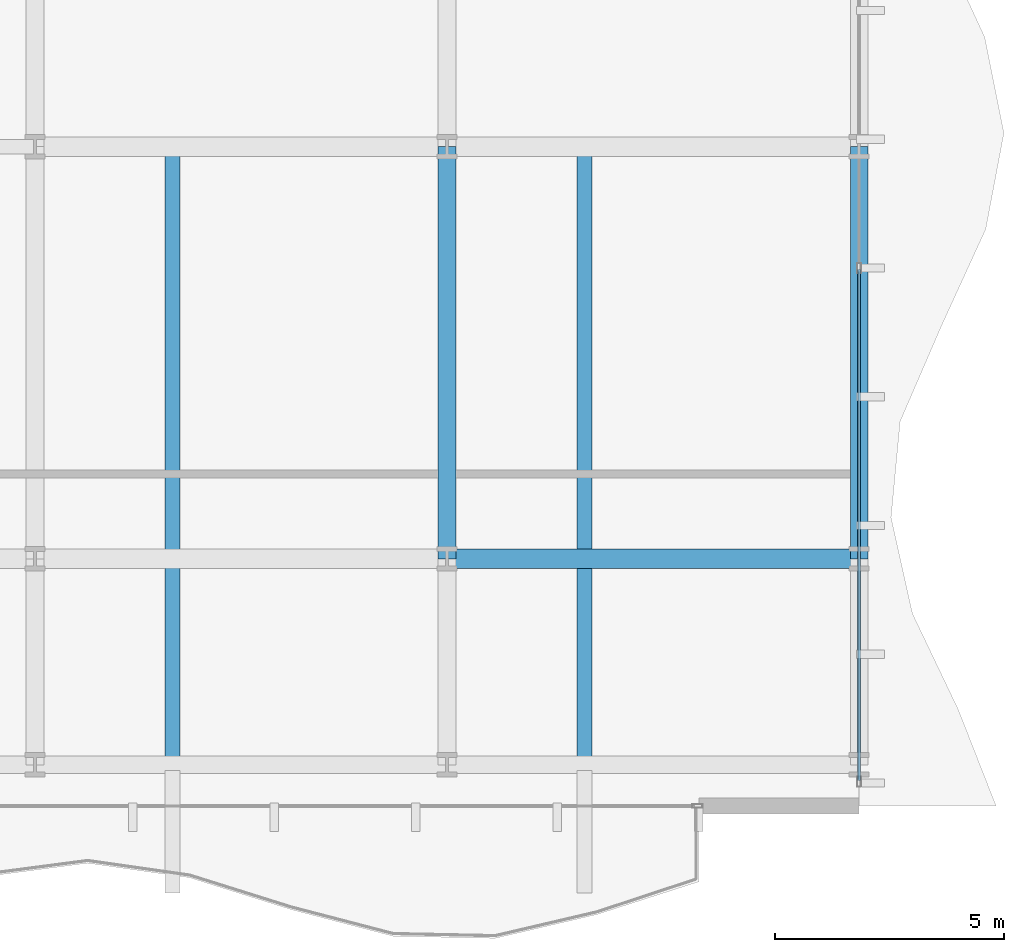
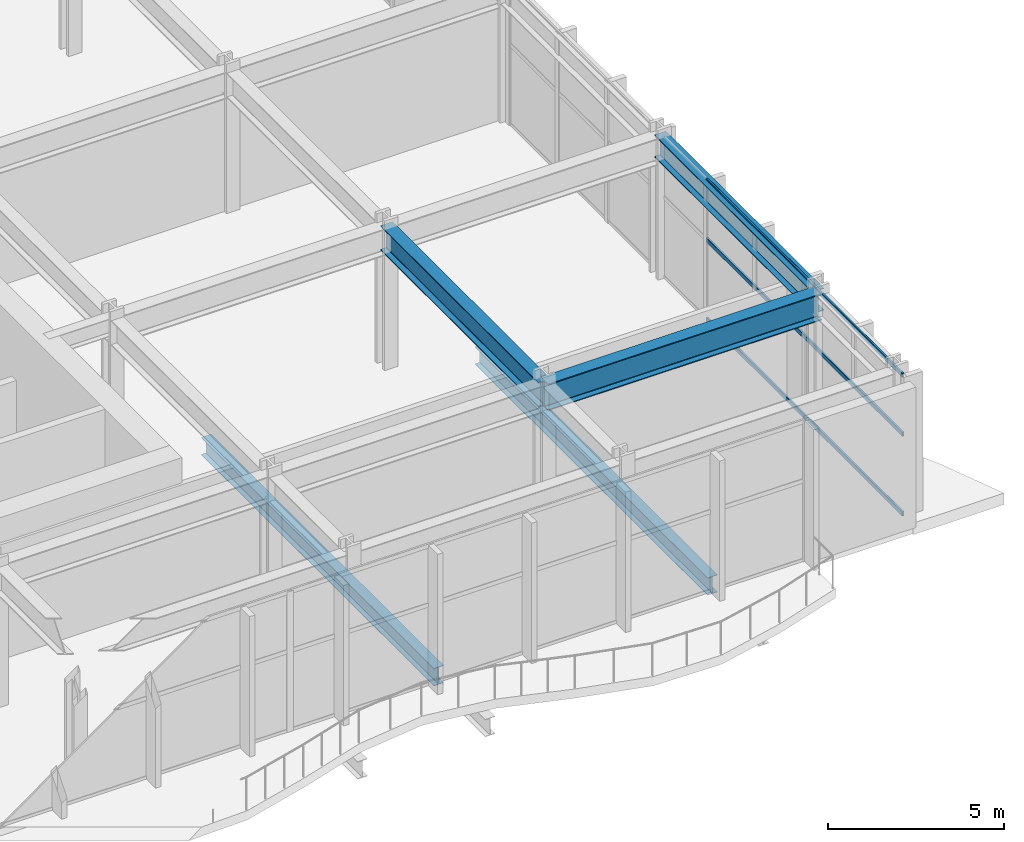
# One storey, part 10 of 31: 5 beams, 3 members, 1 element without a shape of its own.
"""IFC4 building model written with IfcOpenShell, lengths in metres."""

from ifc_helpers import new_model, si_unit, direction, frame, origin, origin_2d, place, context, subcontext, project, spatial, hollow_rectangle, i_section, extrude, material, layer, layer_set, material_profile, profile_set, type_object, element, aggregate, save


model = new_model("IFC4")

# Units and contexts
model_context = context("Model", 3, precision=1e-05, world=origin(), true_north=direction((0.0, 1.0)))
body_context = subcontext(model_context, "Body", "Model", "MODEL_VIEW")
ifc_project = project(units=[si_unit("LENGTHUNIT", "METRE"), si_unit("AREAUNIT", "SQUARE_METRE"), si_unit("VOLUMEUNIT", "CUBIC_METRE"), si_unit("PLANEANGLEUNIT", "RADIAN"), si_unit("MASSUNIT", "GRAM", prefix="KILO")], contexts=[model_context])

# Site, building, storey
site_placement = place(None, origin())
site = spatial("IfcSite", under=ifc_project, at=site_placement, CompositionType="ELEMENT")
building_placement = place(site_placement, origin())
building = spatial("IfcBuilding", under=site, at=building_placement, Name="Solvaryn Broadcast Tower", CompositionType="ELEMENT")
storey_placement = place(building_placement, frame((0.0, 0.0, 11.0)))
storey = spatial("IfcBuildingStorey", under=building, at=storey_placement, Name="L02", CompositionType="ELEMENT", Elevation=11.0)

# Beams
ifc_material_1 = material(Name="Steel ASTM A992 Grade 50", Category="steel")
ifc_material_profile_1 = material_profile(ifc_material_1, i_section(OverallWidth=0.323974609375, OverallDepth=0.611083984375, WebThickness=0.0126953125, FlangeThickness=0.01904296875, FilletRadius=0.014892578125, at=origin_2d()))
ifc_profile_set_1 = profile_set([ifc_material_profile_1], Name="Steel ASTM A992 Grade 50")
beam_type_1 = type_object("IfcBeamType", Name="BM-B1-W24X104", PredefinedType="BEAM", material=ifc_profile_set_1)
for number, where, z_axis, x_axis, name in (
    (1, (48.0, 17.875, -0.62548828125), (0.0, -1.0, 0.0), (1.0, 0.0, 0.0), "L02 Terrace Back-Span Beam X48.0"),
    (2, (57.0, 17.875, -0.62548828125), (0.0, -1.0, 0.0), (1.0, 0.0, 0.0), "L02 Terrace Back-Span Beam X57.0"),
):
    element("IfcBeam", number, at=place(storey_placement, frame(where, z_axis=z_axis, x_axis=x_axis)), inside=storey, type_object=beam_type_1, Name=name, PredefinedType="BEAM", context=body_context, shape_type="SweptSolid", body=[
        extrude(i_section(OverallWidth=0.323974609375, OverallDepth=0.611083984375, WebThickness=0.0126953125, FlangeThickness=0.01904296875, FilletRadius=0.014892578125, at=origin_2d()), origin(), (0.0, 0.0, 1.0), 13.25),
    ])
ifc_material_2 = material(Name="Steel ASTM A992 Grade 50", Category="steel")
ifc_material_profile_2 = material_profile(ifc_material_2, i_section(OverallWidth=0.41796875, OverallDepth=0.927001953125, WebThickness=0.019287109375, FlangeThickness=0.031982421875, FilletRadius=0.02392578125, at=origin_2d()))
ifc_profile_set_2 = profile_set([ifc_material_profile_2], Name="Steel ASTM A992 Grade 50")
beam_type_2 = type_object("IfcBeamType", Name="BM-G2-W36X231", PredefinedType="BEAM", material=ifc_profile_set_2)
beam_1_placement = place(storey_placement, frame((54.0, 9.0, 4.41650390625), z_axis=(1.0, 0.0, 0.0), x_axis=(0.0, 1.0, 0.0)))
element("IfcBeam", 3, at=beam_1_placement, inside=storey, type_object=beam_type_2, Name="L02 Primary Beam X (54-63 @ Y=9)", PredefinedType="BEAM", context=body_context, shape_type="SweptSolid", body=[
    extrude(i_section(OverallWidth=0.41796875, OverallDepth=0.927001953125, WebThickness=0.019287109375, FlangeThickness=0.031982421875, FilletRadius=0.02392578125, at=origin_2d()), origin(), (0.0, 0.0, 1.0), 9.0),
])
ifc_material_3 = material(Name="Steel ASTM A992 Grade 50", Category="steel")
ifc_material_profile_3 = material_profile(ifc_material_3, i_section(OverallWidth=0.39990234375, OverallDepth=0.85498046875, WebThickness=0.018310546875, FlangeThickness=0.029296875, FilletRadius=0.02001953125, at=origin_2d()))
ifc_profile_set_3 = profile_set([ifc_material_profile_3], Name="Steel ASTM A992 Grade 50")
beam_type_3 = type_object("IfcBeamType", Name="BM-G3-W33X201", PredefinedType="BEAM", material=ifc_profile_set_3)
beam_2_placement = place(storey_placement, frame((54.0, 9.0, 4.452392578125), z_axis=(0.0, 1.0, 0.0), x_axis=(-1.0, 0.0, 0.0)))
element("IfcBeam", 4, at=beam_2_placement, inside=storey, type_object=beam_type_3, Name="L02 Primary Beam Y (9-18 @ X=54)", PredefinedType="BEAM", context=body_context, shape_type="SweptSolid", body=[
    extrude(i_section(OverallWidth=0.39990234375, OverallDepth=0.85498046875, WebThickness=0.018310546875, FlangeThickness=0.029296875, FilletRadius=0.02001953125, at=origin_2d()), origin(), (0.0, 0.0, 1.0), 9.0),
])
ifc_material_4 = material(Name="Steel ASTM A992 Grade 50", Category="steel")
ifc_material_profile_4 = material_profile(ifc_material_4, i_section(OverallWidth=0.381103515625, OverallDepth=0.77294921875, WebThickness=0.0166015625, FlangeThickness=0.027099609375, FilletRadius=0.01806640625, at=origin_2d()))
ifc_profile_set_4 = profile_set([ifc_material_profile_4], Name="Steel ASTM A992 Grade 50")
beam_type_4 = type_object("IfcBeamType", Name="BM-SP1-W30X173", PredefinedType="USERDEFINED", material=ifc_profile_set_4)
beam_3_placement = place(storey_placement, frame((63.0, 9.0, 4.493408203125), z_axis=(0.0, 1.0, 0.0), x_axis=(-1.0, 0.0, 0.0)))
element("IfcBeam", 5, at=beam_3_placement, inside=storey, type_object=beam_type_4, Name="L02 Spandrel Beam Y (9-18 @ X=63)", ObjectType="SPANDREL", PredefinedType="USERDEFINED", context=body_context, shape_type="SweptSolid", body=[
    extrude(i_section(OverallWidth=0.381103515625, OverallDepth=0.77294921875, WebThickness=0.0166015625, FlangeThickness=0.027099609375, FilletRadius=0.01806640625, at=origin_2d()), origin(), (0.0, 0.0, 1.0), 9.0),
])

# Curtain wall, members
ifc_material_5 = material(Name="Aluminium and Terracotta Unitised Curtain Wall", Category="masonry")
ifc_layer = layer(ifc_material_5, 0.219970703125)
ifc_layer_set = layer_set([ifc_layer], Name="CW-SYS1-PODIUM")
curtain_wall_type = type_object("IfcCurtainWallType", Name="CW-SYS1-PODIUM", PredefinedType="NOTDEFINED", material=ifc_layer_set)
curtain_wall_placement = place(storey_placement, origin())
curtain_wall = element("IfcCurtainWall", 6, at=curtain_wall_placement, inside=storey, type_object=curtain_wall_type, Name="L02 Podium Curtain Wall E2", PredefinedType="NOTDEFINED")
ifc_material_6 = material(Name="Anodised Aluminium 6063-T6", Category="aluminium")
ifc_material_profile_5 = material_profile(ifc_material_6, hollow_rectangle(XDim=0.06494140625, YDim=0.14990234375, WallThickness=0.00390625, InnerFilletRadius=0.00390625, OuterFilletRadius=0.008056640625, at=origin_2d()))
ifc_profile_set_5 = profile_set([ifc_material_profile_5], Name="Anodised Aluminium 6063-T6")
member_type = type_object("IfcMemberType", Name="CW-TRN-150", PredefinedType="USERDEFINED", material=ifc_profile_set_5)
member_1_placement = place(storey_placement, frame((63.0, 15.320068359375, 0.030029296875), z_axis=(0.0, -1.0, 0.0), x_axis=(1.0, 0.0, 0.0)))
member_1 = element("IfcMember", 7, at=member_1_placement, type_object=member_type, Name="CWS1 transom 2.1", ObjectType="TRANSOM", PredefinedType="USERDEFINED", context=body_context, shape_type="SweptSolid", body=[
    extrude(hollow_rectangle(XDim=0.06494140625, YDim=0.14990234375, WallThickness=0.00390625, InnerFilletRadius=0.00390625, OuterFilletRadius=0.008056640625, at=origin_2d()), origin(), (0.0, 0.0, 1.0), 11.16015625),
])
member_2_placement = place(storey_placement, frame((63.0, 15.320068359375, 2.800048828125), z_axis=(0.0, -1.0, 0.0), x_axis=(1.0, 0.0, 0.0)))
member_2 = element("IfcMember", 8, at=member_2_placement, type_object=member_type, Name="CWS1 transom 2.2", ObjectType="TRANSOM", PredefinedType="USERDEFINED", context=body_context, shape_type="SweptSolid", body=[
    extrude(hollow_rectangle(XDim=0.06494140625, YDim=0.14990234375, WallThickness=0.00390625, InnerFilletRadius=0.00390625, OuterFilletRadius=0.008056640625, at=origin_2d()), origin(), (0.0, 0.0, 1.0), 11.16015625),
])
member_3_placement = place(storey_placement, frame((63.0, 15.320068359375, 4.85009765625), z_axis=(0.0, -1.0, 0.0), x_axis=(1.0, 0.0, 0.0)))
member_3 = element("IfcMember", 9, at=member_3_placement, type_object=member_type, Name="CWS1 transom 2.3", ObjectType="TRANSOM", PredefinedType="USERDEFINED", context=body_context, shape_type="SweptSolid", body=[
    extrude(hollow_rectangle(XDim=0.06494140625, YDim=0.14990234375, WallThickness=0.00390625, InnerFilletRadius=0.00390625, OuterFilletRadius=0.008056640625, at=origin_2d()), origin(), (0.0, 0.0, 1.0), 11.16015625),
])
aggregate(curtain_wall, [member_1, member_2, member_3])

save(model, "model.ifc")
